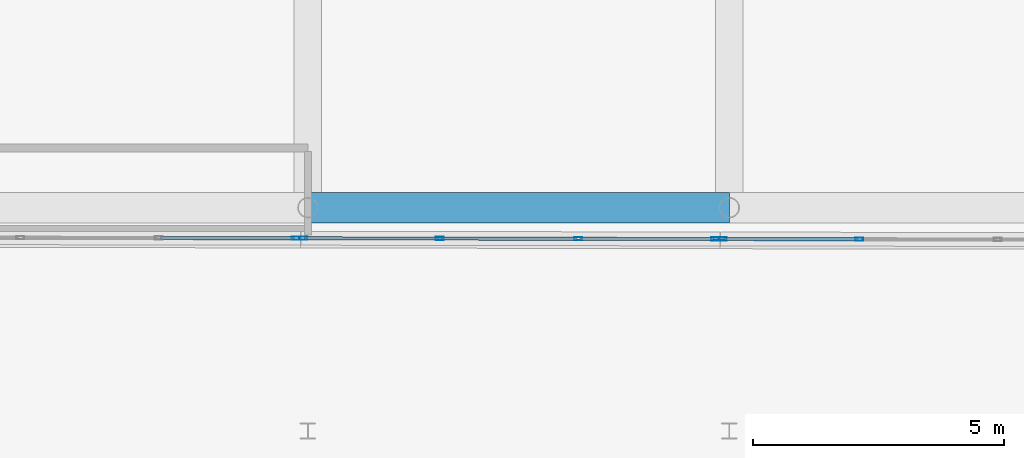
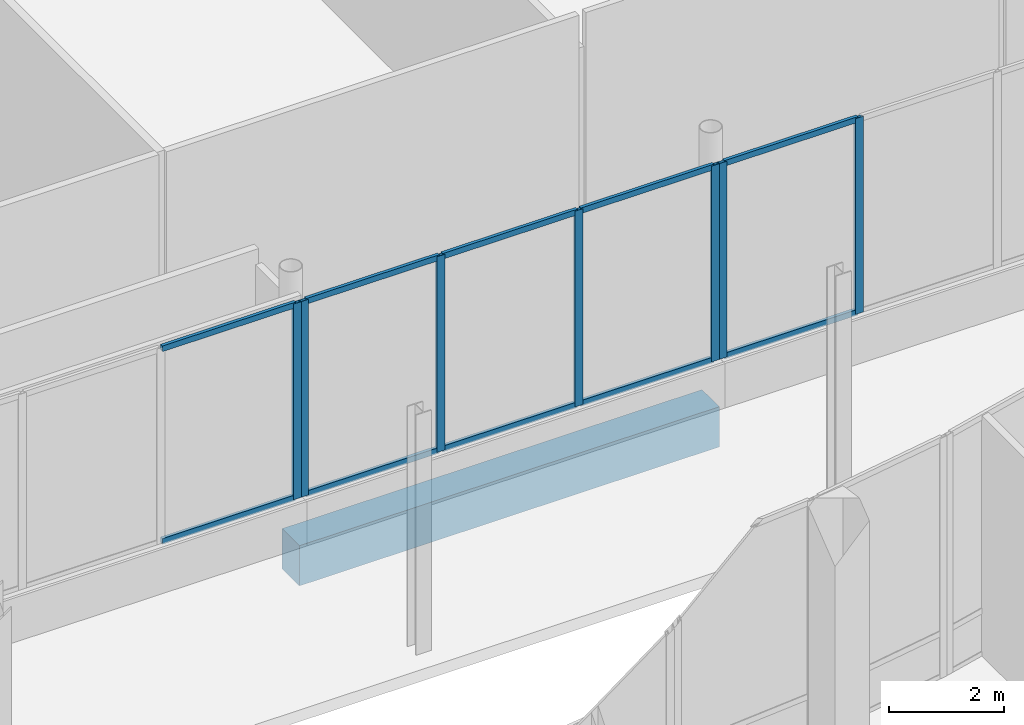
# One storey, part 40 of 158: 17 members, 1 beam, 3 elements without a shape of their own.
"""IFC4 building model written with IfcOpenShell, lengths in metres."""

from ifc_helpers import new_model, si_unit, direction, frame, origin, origin_2d, place, context, subcontext, project, spatial, rectangle, hollow_rectangle, extrude, material, material_profile, profile_set, type_object, element, aggregate, save


model = new_model("IFC4")

# Units and contexts
model_context = context("Model", 3, precision=1e-05, world=origin(), true_north=direction((0.0, 1.0)))
body_context = subcontext(model_context, "Body", "Model", "MODEL_VIEW")
ifc_project = project(units=[si_unit("LENGTHUNIT", "METRE"), si_unit("AREAUNIT", "SQUARE_METRE"), si_unit("VOLUMEUNIT", "CUBIC_METRE"), si_unit("PLANEANGLEUNIT", "RADIAN"), si_unit("MASSUNIT", "GRAM", prefix="KILO")], contexts=[model_context])

# Site, building, storey
site_placement = place(None, origin())
site = spatial("IfcSite", under=ifc_project, at=site_placement, CompositionType="ELEMENT")
building_placement = place(site_placement, origin())
building = spatial("IfcBuilding", under=site, at=building_placement, Name="Selatvlak General Hospital", CompositionType="ELEMENT")
storey_placement = place(building_placement, origin())
storey = spatial("IfcBuildingStorey", under=building, at=storey_placement, Name="L00", CompositionType="ELEMENT", Elevation=0.0)

# Beam
ifc_material_1 = material(Name="Concrete C40/50", Category="concrete")
ifc_material_profile_1 = material_profile(ifc_material_1, rectangle(XDim=0.60009765625, YDim=0.85009765625, at=origin_2d()), Name="RC-BM 600x850")
ifc_profile_set_1 = profile_set([ifc_material_profile_1], Name="Concrete C40/50")
beam_type = type_object("IfcBeamType", Name="BM-G01", PredefinedType="BEAM", material=ifc_profile_set_1)
beam_placement = place(storey_placement, frame((56.39990234375, 52.550048828125, -0.77490234375), z_axis=(1.0, 0.0, 0.0), x_axis=(0.0, 1.0, 0.0)))
element("IfcBeam", 1, at=beam_placement, inside=storey, type_object=beam_type, Name="Beam BMR-L00-0007", PredefinedType="BEAM", context=body_context, shape_type="SweptSolid", body=[
    extrude(rectangle(XDim=0.60009765625, YDim=0.85009765625, at=origin_2d()), origin(), (0.0, 0.0, 1.0), 8.400146484375),
])

# Curtain wall, members
ifc_material_2 = material(Name="Solar-control Low-E double glazing", Category="glass")
curtain_wall_type_1 = type_object("IfcCurtainWallType", Name="CW-CW-01", PredefinedType="USERDEFINED", material=ifc_material_2)
curtain_wall_1_placement = place(storey_placement, origin())
curtain_wall_1 = element("IfcCurtainWall", 2, at=curtain_wall_1_placement, inside=storey, type_object=curtain_wall_type_1, Name="Glazed facade curtain wall CW-L00-0088", ObjectType="UNITISED CURTAIN WALL", PredefinedType="USERDEFINED")
ifc_material_3 = material(Name="Dark anodised aluminium mullion", Category="aluminium")
ifc_material_profile_2 = material_profile(ifc_material_3, hollow_rectangle(XDim=0.06494140625, YDim=0.159912109375, WallThickness=0.00390625, at=origin_2d()), Name="AL-MUL 65x160x4")
ifc_profile_set_2 = profile_set([ifc_material_profile_2], Name="Dark anodised aluminium mullion")
member_type_1 = type_object("IfcMemberType", Name="CWM-01", PredefinedType="MULLION", material=ifc_profile_set_2)
member_1_placement = place(storey_placement, frame((67.3935546875, 51.919921875, 0.93994140625), z_axis=(0.0, 0.0, 1.0), x_axis=(-0.001811153756, -0.99999835986, 0.0)))
member_1 = element("IfcMember", 3, at=member_1_placement, type_object=member_type_1, Name="CW-01 mullion 3", PredefinedType="MULLION", context=body_context, shape_type="SweptSolid", body=[
    extrude(hollow_rectangle(XDim=0.06494140625, YDim=0.159912109375, WallThickness=0.00390625, at=origin_2d()), origin(), (0.0, 0.0, 1.0), 4.14013671875),
])
member_2_placement = place(storey_placement, frame((64.66552734375, 51.925048828125, 0.93994140625), z_axis=(0.0, 0.0, 1.0), x_axis=(-0.001811153756, -0.99999835986, 0.0)))
member_2 = element("IfcMember", 4, at=member_2_placement, type_object=member_type_1, Name="CW-01 mullion 4", PredefinedType="MULLION", context=body_context, shape_type="SweptSolid", body=[
    extrude(hollow_rectangle(XDim=0.06494140625, YDim=0.159912109375, WallThickness=0.00390625, at=origin_2d()), origin(), (0.0, 0.0, 1.0), 4.14013671875),
])

curtain_wall_type_2 = type_object("IfcCurtainWallType", Name="CW-CW-02", PredefinedType="USERDEFINED", material=ifc_material_2)
curtain_wall_2_placement = place(storey_placement, origin())
curtain_wall_2 = element("IfcCurtainWall", 5, at=curtain_wall_2_placement, inside=storey, type_object=curtain_wall_type_2, Name="Glazed facade curtain wall CW-L00-0089", ObjectType="UNITISED CURTAIN WALL", PredefinedType="USERDEFINED")
member_3_placement = place(storey_placement, frame((64.5205078125, 51.925048828125, 0.93994140625), z_axis=(0.0, 0.0, 1.0), x_axis=(-0.001811153756, -0.99999835986, 0.0)))
member_3 = element("IfcMember", 6, at=member_3_placement, type_object=member_type_1, Name="CW-02 mullion 1", PredefinedType="MULLION", context=body_context, shape_type="SweptSolid", body=[
    extrude(hollow_rectangle(XDim=0.06494140625, YDim=0.159912109375, WallThickness=0.00390625, at=origin_2d()), origin(), (0.0, 0.0, 1.0), 4.14013671875),
])
member_4_placement = place(storey_placement, frame((61.792236328125, 51.929931640625, 0.93994140625), z_axis=(0.0, 0.0, 1.0), x_axis=(-0.001811153756, -0.99999835986, 0.0)))
member_4 = element("IfcMember", 7, at=member_4_placement, type_object=member_type_1, Name="CW-02 mullion 2", PredefinedType="MULLION", context=body_context, shape_type="SweptSolid", body=[
    extrude(hollow_rectangle(XDim=0.06494140625, YDim=0.159912109375, WallThickness=0.00390625, at=origin_2d()), origin(), (0.0, 0.0, 1.0), 4.14013671875),
])
member_5_placement = place(storey_placement, frame((59.03173828125, 51.93505859375, 0.93994140625), z_axis=(0.0, 0.0, 1.0), x_axis=(-0.001811153756, -0.99999835986, 0.0)))
member_5 = element("IfcMember", 8, at=member_5_placement, type_object=member_type_1, Name="CW-02 mullion 3", PredefinedType="MULLION", context=body_context, shape_type="SweptSolid", body=[
    extrude(hollow_rectangle(XDim=0.06494140625, YDim=0.159912109375, WallThickness=0.00390625, at=origin_2d()), origin(), (0.0, 0.0, 1.0), 4.14013671875),
])
member_6_placement = place(storey_placement, frame((56.303466796875, 51.93994140625, 0.93994140625), z_axis=(0.0, 0.0, 1.0), x_axis=(-0.001811153756, -0.99999835986, 0.0)))
member_6 = element("IfcMember", 9, at=member_6_placement, type_object=member_type_1, Name="CW-02 mullion 4", PredefinedType="MULLION", context=body_context, shape_type="SweptSolid", body=[
    extrude(hollow_rectangle(XDim=0.06494140625, YDim=0.159912109375, WallThickness=0.00390625, at=origin_2d()), origin(), (0.0, 0.0, 1.0), 4.14013671875),
])

# Curtain wall, member
curtain_wall_3_placement = place(storey_placement, origin())
curtain_wall_3 = element("IfcCurtainWall", 10, at=curtain_wall_3_placement, inside=storey, type_object=curtain_wall_type_1, Name="Glazed facade curtain wall CW-L00-0090", ObjectType="UNITISED CURTAIN WALL", PredefinedType="USERDEFINED")
member_7_placement = place(storey_placement, frame((56.158447265625, 51.93994140625, 0.93994140625), z_axis=(0.0, 0.0, 1.0), x_axis=(-0.001811372463, -0.999998359464, 0.0)))
member_7 = element("IfcMember", 11, at=member_7_placement, type_object=member_type_1, Name="CW-01 mullion 1", PredefinedType="MULLION", context=body_context, shape_type="SweptSolid", body=[
    extrude(hollow_rectangle(XDim=0.06494140625, YDim=0.159912109375, WallThickness=0.00390625, at=origin_2d()), origin(), (0.0, 0.0, 1.0), 4.14013671875),
])

# Member
ifc_material_profile_3 = material_profile(ifc_material_3, hollow_rectangle(XDim=0.06494140625, YDim=0.1201171875, WallThickness=0.00390625, at=origin_2d()), Name="AL-TRN 65x120x4")
ifc_profile_set_3 = profile_set([ifc_material_profile_3], Name="Dark anodised aluminium mullion")
member_type_2 = type_object("IfcMemberType", Name="CWT-01", PredefinedType="USERDEFINED", material=ifc_profile_set_3)
member_8_placement = place(storey_placement, frame((67.361083984375, 51.920166015625, 0.972412109375), z_axis=(-0.999998482999, 0.001741838208, 0.0), x_axis=(-0.001741838208, -0.999998482999, 0.0)))
member_8 = element("IfcMember", 12, at=member_8_placement, type_object=member_type_2, Name="CW-01 transom 3.1", ObjectType="TRANSOM", PredefinedType="USERDEFINED", context=body_context, shape_type="SweptSolid", body=[
    extrude(hollow_rectangle(XDim=0.06494140625, YDim=0.1201171875, WallThickness=0.00390625, at=origin_2d()), origin(), (0.0, 0.0, 1.0), 2.6630859375),
])

member_9_placement = place(storey_placement, frame((67.361083984375, 51.920166015625, 5.047607421875), z_axis=(-0.999998482999, 0.001741838208, 0.0), x_axis=(-0.001741838208, -0.999998482999, 0.0)))
member_9 = element("IfcMember", 13, at=member_9_placement, type_object=member_type_2, Name="CW-01 transom 3.2", ObjectType="TRANSOM", PredefinedType="USERDEFINED", context=body_context, shape_type="SweptSolid", body=[
    extrude(hollow_rectangle(XDim=0.06494140625, YDim=0.1201171875, WallThickness=0.00390625, at=origin_2d()), origin(), (0.0, 0.0, 1.0), 2.6630859375),
])

aggregate(curtain_wall_1, [member_1, member_2, member_8, member_9])

member_10_placement = place(storey_placement, frame((64.488037109375, 51.925048828125, 0.972412109375), z_axis=(-0.999998319113, 0.001833513603, 0.0), x_axis=(-0.001833513603, -0.999998319113, 0.0)))
member_10 = element("IfcMember", 14, at=member_10_placement, type_object=member_type_2, Name="CW-02 transom 1.1", ObjectType="TRANSOM", PredefinedType="USERDEFINED", context=body_context, shape_type="SweptSolid", body=[
    extrude(hollow_rectangle(XDim=0.06494140625, YDim=0.1201171875, WallThickness=0.00390625, at=origin_2d()), origin(), (0.0, 0.0, 1.0), 2.6630859375),
])

member_11_placement = place(storey_placement, frame((64.488037109375, 51.925048828125, 5.047607421875), z_axis=(-0.999998319113, 0.001833513603, 0.0), x_axis=(-0.001833513603, -0.999998319113, 0.0)))
member_11 = element("IfcMember", 15, at=member_11_placement, type_object=member_type_2, Name="CW-02 transom 1.2", ObjectType="TRANSOM", PredefinedType="USERDEFINED", context=body_context, shape_type="SweptSolid", body=[
    extrude(hollow_rectangle(XDim=0.06494140625, YDim=0.1201171875, WallThickness=0.00390625, at=origin_2d()), origin(), (0.0, 0.0, 1.0), 2.6630859375),
])

member_12_placement = place(storey_placement, frame((61.759765625, 51.93017578125, 0.972412109375), z_axis=(-0.999998359364, 0.001811427152, 0.0), x_axis=(-0.001811427152, -0.999998359364, 0.0)))
member_12 = element("IfcMember", 16, at=member_12_placement, type_object=member_type_2, Name="CW-02 transom 2.1", ObjectType="TRANSOM", PredefinedType="USERDEFINED", context=body_context, shape_type="SweptSolid", body=[
    extrude(hollow_rectangle(XDim=0.06494140625, YDim=0.1201171875, WallThickness=0.00390625, at=origin_2d()), origin(), (0.0, 0.0, 1.0), 2.695556640625),
])

member_13_placement = place(storey_placement, frame((61.759765625, 51.93017578125, 5.047607421875), z_axis=(-0.999998359364, 0.001811427152, 0.0), x_axis=(-0.001811427152, -0.999998359364, 0.0)))
member_13 = element("IfcMember", 17, at=member_13_placement, type_object=member_type_2, Name="CW-02 transom 2.2", ObjectType="TRANSOM", PredefinedType="USERDEFINED", context=body_context, shape_type="SweptSolid", body=[
    extrude(hollow_rectangle(XDim=0.06494140625, YDim=0.1201171875, WallThickness=0.00390625, at=origin_2d()), origin(), (0.0, 0.0, 1.0), 2.695556640625),
])

member_14_placement = place(storey_placement, frame((58.999267578125, 51.93505859375, 0.972412109375), z_axis=(-0.999998319421, 0.00183334553, 0.0), x_axis=(-0.00183334553, -0.999998319421, 0.0)))
member_14 = element("IfcMember", 18, at=member_14_placement, type_object=member_type_2, Name="CW-02 transom 3.1", ObjectType="TRANSOM", PredefinedType="USERDEFINED", context=body_context, shape_type="SweptSolid", body=[
    extrude(hollow_rectangle(XDim=0.06494140625, YDim=0.1201171875, WallThickness=0.00390625, at=origin_2d()), origin(), (0.0, 0.0, 1.0), 2.663330078125),
])

member_15_placement = place(storey_placement, frame((58.999267578125, 51.93505859375, 5.047607421875), z_axis=(-0.999998319421, 0.00183334553, 0.0), x_axis=(-0.00183334553, -0.999998319421, 0.0)))
member_15 = element("IfcMember", 19, at=member_15_placement, type_object=member_type_2, Name="CW-02 transom 3.2", ObjectType="TRANSOM", PredefinedType="USERDEFINED", context=body_context, shape_type="SweptSolid", body=[
    extrude(hollow_rectangle(XDim=0.06494140625, YDim=0.1201171875, WallThickness=0.00390625, at=origin_2d()), origin(), (0.0, 0.0, 1.0), 2.663330078125),
])

aggregate(curtain_wall_2, [member_3, member_4, member_5, member_6, member_10, member_11, member_12, member_13, member_14, member_15])

member_16_placement = place(storey_placement, frame((56.1259765625, 51.940185546875, 0.972412109375), z_axis=(-0.99999848272, 0.001741997907, 0.0), x_axis=(-0.001741997907, -0.99999848272, 0.0)))
member_16 = element("IfcMember", 20, at=member_16_placement, type_object=member_type_2, Name="CW-01 transom 1.1", ObjectType="TRANSOM", PredefinedType="USERDEFINED", context=body_context, shape_type="SweptSolid", body=[
    extrude(hollow_rectangle(XDim=0.06494140625, YDim=0.1201171875, WallThickness=0.00390625, at=origin_2d()), origin(), (0.0, 0.0, 1.0), 2.662841796875),
])

member_17_placement = place(storey_placement, frame((56.1259765625, 51.940185546875, 5.047607421875), z_axis=(-0.99999848272, 0.001741997907, 0.0), x_axis=(-0.001741997907, -0.99999848272, 0.0)))
member_17 = element("IfcMember", 21, at=member_17_placement, type_object=member_type_2, Name="CW-01 transom 1.2", ObjectType="TRANSOM", PredefinedType="USERDEFINED", context=body_context, shape_type="SweptSolid", body=[
    extrude(hollow_rectangle(XDim=0.06494140625, YDim=0.1201171875, WallThickness=0.00390625, at=origin_2d()), origin(), (0.0, 0.0, 1.0), 2.662841796875),
])

aggregate(curtain_wall_3, [member_7, member_16, member_17])

save(model, "model.ifc")
